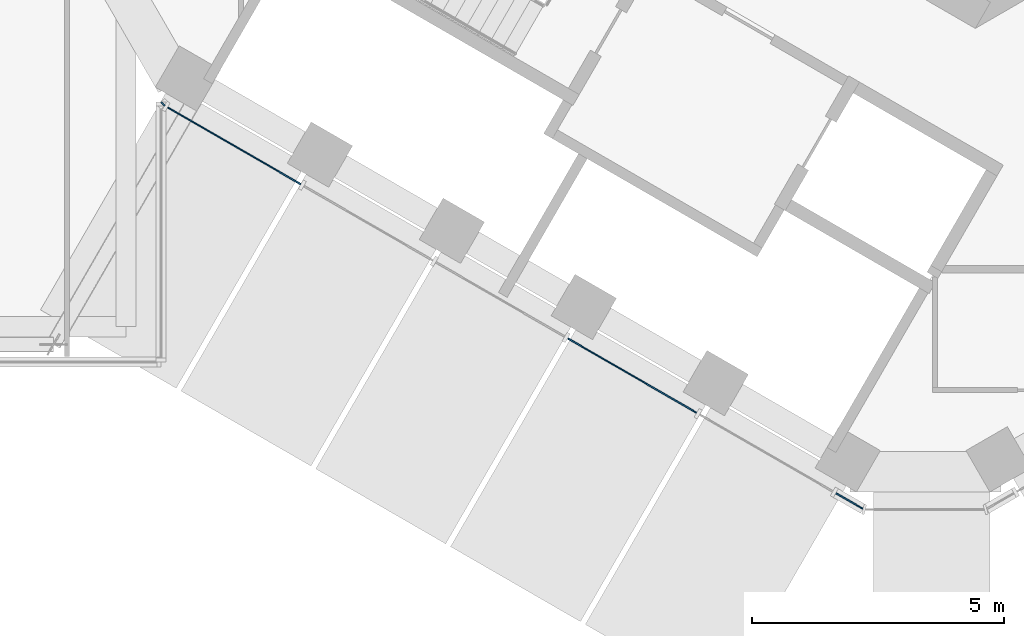
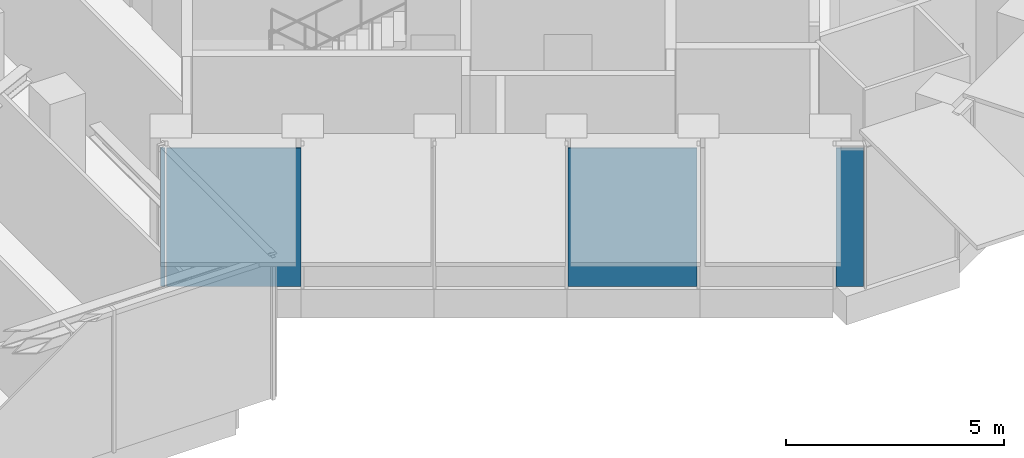
# One storey, part 10 of 24: 4 plates, 3 elements without a shape of their own.
"""IFC4 building model written with IfcOpenShell, lengths in metres."""

from ifc_helpers import new_model, si_unit, direction, frame, origin, origin_2d, place, context, subcontext, project, spatial, rectangle, extrude, material, layer, layer_set, type_object, element, aggregate, save


model = new_model("IFC4")

# Units and contexts
model_context = context("Model", 3, precision=1e-05, world=origin(), true_north=direction((0.0, 1.0)))
body_context = subcontext(model_context, "Body", "Model", "MODEL_VIEW")
ifc_project = project(units=[si_unit("LENGTHUNIT", "METRE"), si_unit("AREAUNIT", "SQUARE_METRE"), si_unit("VOLUMEUNIT", "CUBIC_METRE"), si_unit("PLANEANGLEUNIT", "RADIAN"), si_unit("MASSUNIT", "GRAM", prefix="KILO")], contexts=[model_context])

# Site, building, storey
site_placement = place(None, origin())
site = spatial("IfcSite", under=ifc_project, at=site_placement, CompositionType="ELEMENT")
building_placement = place(site_placement, origin())
building = spatial("IfcBuilding", under=site, at=building_placement, Name="Ayvan Gate Tower", CompositionType="ELEMENT")
storey_placement = place(building_placement, frame((0.0, 0.0, 210.10009765625)))
storey = spatial("IfcBuildingStorey", under=building, at=storey_placement, Name="L56", CompositionType="ELEMENT", Elevation=210.10009765625)

# Curtain wall, plates
ifc_material_1 = material(Name="Bronze anodised aluminium", Category="aluminium")
ifc_layer_1 = layer(ifc_material_1, 0.199951171875)
ifc_layer_set_1 = layer_set([ifc_layer_1], Name="Bronze anodised aluminium")
curtain_wall_type_1 = type_object("IfcCurtainWallType", Name="Stick curtain wall CW-2", PredefinedType="NOTDEFINED", material=ifc_layer_set_1)
curtain_wall_1_placement = place(storey_placement, origin())
curtain_wall_1 = element("IfcCurtainWall", 1, at=curtain_wall_1_placement, inside=storey, type_object=curtain_wall_type_1, Name="Stick curtain wall CW-2 L56", PredefinedType="NOTDEFINED")
ifc_material_2 = material(Name="Clear low-iron laminated glass", Category="glass")
ifc_layer_2 = layer(ifc_material_2, 0.028076171875)
ifc_layer_set_2 = layer_set([ifc_layer_2], Name="Clear low-iron laminated glass")
plate_type_1 = type_object("IfcPlateType", Name="Stick curtain wall CW-2 glass panel", PredefinedType="CURTAIN_PANEL", material=ifc_layer_set_2)
plate_1_placement = place(storey_placement, frame((-14.74560546875, -13.294921875, 0.0), z_axis=(0.0, 0.0, 1.0), x_axis=(0.866025403784, -0.5, 0.0)))
plate_1 = element("IfcPlate", 2, at=plate_1_placement, type_object=plate_type_1, Name="CW-2 glass panel 1", PredefinedType="CURTAIN_PANEL", context=body_context, shape_type="SweptSolid", body=[
    extrude(rectangle(XDim=3.091064453125, YDim=0.028076171875, at=origin_2d()), origin(), (0.0, 0.0, 1.0), 3.8798828125),
])
plate_2_placement = place(storey_placement, frame((-6.820556640625, -17.870361328125, 0.0), z_axis=(0.0, 0.0, 1.0), x_axis=(0.866025403784, -0.5, 0.0)))
plate_2 = element("IfcPlate", 3, at=plate_2_placement, type_object=plate_type_1, Name="CW-2 glass panel 4", PredefinedType="CURTAIN_PANEL", context=body_context, shape_type="SweptSolid", body=[
    extrude(rectangle(XDim=2.958984375, YDim=0.028076171875, at=origin_2d()), origin(), (0.0, 0.0, 1.0), 3.8798828125),
])
aggregate(curtain_wall_1, [plate_1, plate_2])

# Curtain wall, plate
ifc_layer_3 = layer(ifc_material_1, 0.199951171875)
ifc_layer_set_3 = layer_set([ifc_layer_3], Name="Bronze anodised aluminium")
curtain_wall_type_2 = type_object("IfcCurtainWallType", Name="Stick curtain wall CW-6", PredefinedType="NOTDEFINED", material=ifc_layer_set_3)
curtain_wall_2_placement = place(storey_placement, origin())
curtain_wall_2 = element("IfcCurtainWall", 4, at=curtain_wall_2_placement, inside=storey, type_object=curtain_wall_type_2, Name="Stick curtain wall CW-6 L56", PredefinedType="NOTDEFINED")
ifc_layer_4 = layer(ifc_material_2, 0.028076171875)
ifc_layer_set_4 = layer_set([ifc_layer_4], Name="Clear low-iron laminated glass")
plate_type_2 = type_object("IfcPlateType", Name="Stick curtain wall CW-6 glass panel", PredefinedType="CURTAIN_PANEL", material=ifc_layer_set_4)
plate_3_placement = place(storey_placement, frame((-2.50146484375, -20.364013671875, 0.0), z_axis=(0.0, 0.0, 1.0), x_axis=(0.866025403784, -0.5, 0.0)))
plate_3 = element("IfcPlate", 5, at=plate_3_placement, type_object=plate_type_2, Name="CW-6 glass panel 1", PredefinedType="CURTAIN_PANEL", context=body_context, shape_type="SweptSolid", body=[
    extrude(rectangle(XDim=0.625, YDim=0.028076171875, at=origin_2d()), origin(), (0.0, 0.0, 1.0), 3.8798828125),
])
aggregate(curtain_wall_2, [plate_3])

curtain_wall_3_placement = place(storey_placement, origin())
curtain_wall_3 = element("IfcCurtainWall", 6, at=curtain_wall_3_placement, inside=storey, type_object=curtain_wall_type_2, Name="Stick curtain wall CW-6 L56", PredefinedType="NOTDEFINED")
plate_4_placement = place(storey_placement, frame((-16.1494140625, -12.469482421875, 0.0), z_axis=(0.0, 0.0, 1.0), x_axis=(0.707106781187, -0.707106781187, 0.0)))
plate_4 = element("IfcPlate", 7, at=plate_4_placement, type_object=plate_type_2, Name="CW-6 glass panel 1", PredefinedType="CURTAIN_PANEL", context=body_context, shape_type="SweptSolid", body=[
    extrude(rectangle(XDim=0.099365234375, YDim=0.028076171875, at=origin_2d()), origin(), (0.0, 0.0, 1.0), 3.8798828125),
])
aggregate(curtain_wall_3, [plate_4])

save(model, "model.ifc")
